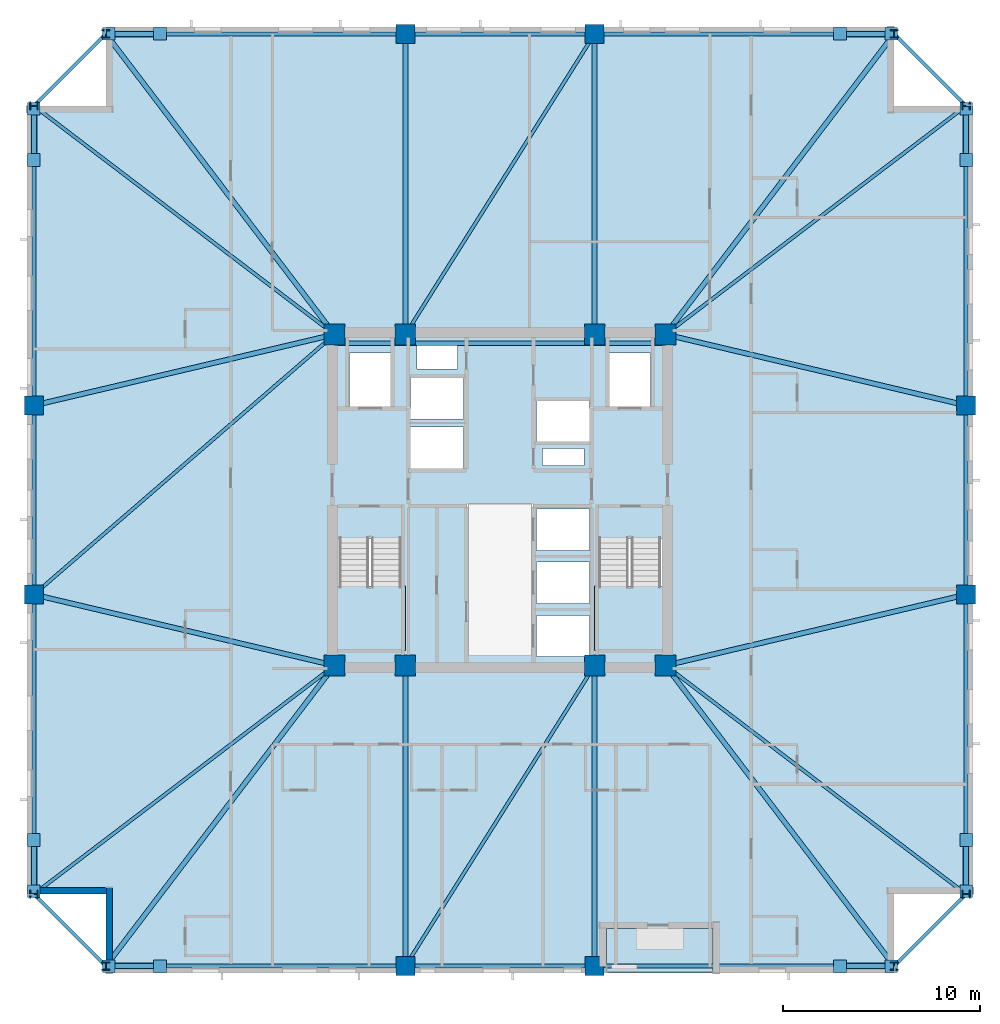
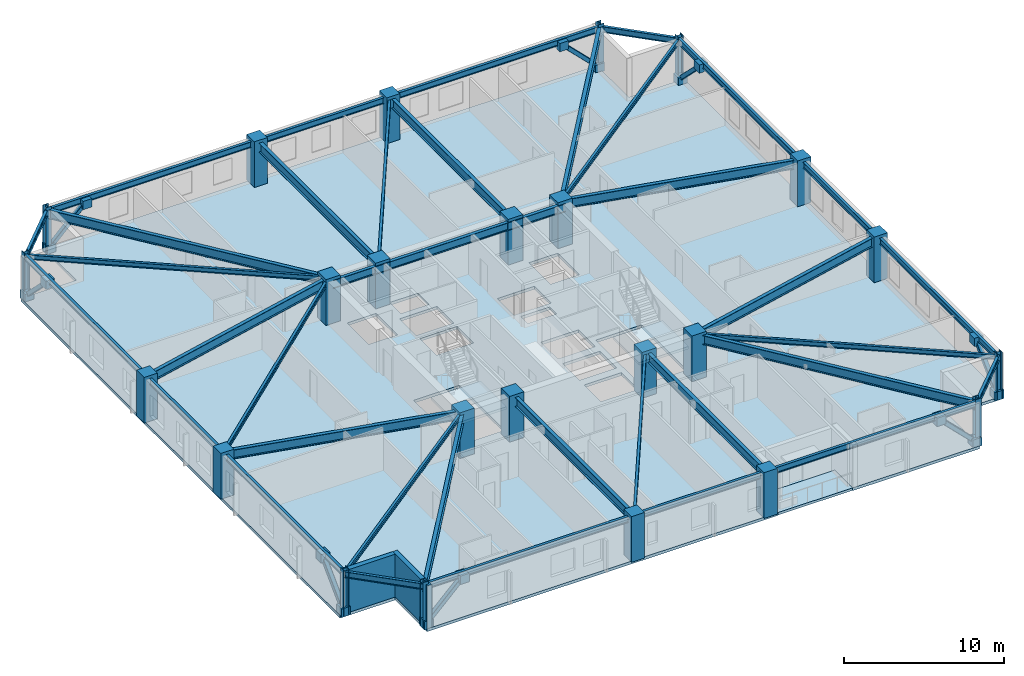
# One storey, part 1 of 11: 38 beams, 24 columns, 16 plates, 8 members, 4 slabs, 2 walls, 2 elements without a shape of their own.
"""IFC4 building model written with IfcOpenShell, lengths in metres."""

from ifc_helpers import new_model, si_unit, direction, frame, frame_2d, origin, origin_2d, place, context, subcontext, project, spatial, polyline, rectangle, hollow_rectangle, i_section, outline, extrude, material, layer, layer_set, material_profile, profile_set, type_object, element, aggregate, save


model = new_model("IFC4")

# Units and contexts
model_context = context("Model", 3, precision=1e-05, world=origin(), true_north=direction((0.0, 1.0)))
body_context = subcontext(model_context, "Body", "Model", "MODEL_VIEW")
ifc_project = project(units=[si_unit("LENGTHUNIT", "METRE"), si_unit("AREAUNIT", "SQUARE_METRE"), si_unit("VOLUMEUNIT", "CUBIC_METRE"), si_unit("PLANEANGLEUNIT", "RADIAN"), si_unit("MASSUNIT", "GRAM", prefix="KILO")], contexts=[model_context])

# Site, building, storey
site_placement = place(None, origin())
site = spatial("IfcSite", under=ifc_project, at=site_placement, CompositionType="ELEMENT")
building_placement = place(site_placement, origin())
building = spatial("IfcBuilding", under=site, at=building_placement, Name="Cairnveth Concourse Tower", CompositionType="ELEMENT")
storey_placement = place(building_placement, frame((0.0, 0.0, 162.0)))
storey = spatial("IfcBuildingStorey", under=building, at=storey_placement, Name="L44", CompositionType="ELEMENT", Elevation=162.0)

# Columns
ifc_material_1 = material(Name="Concrete N65 (65 MPa)", Category="concrete")
ifc_material_profile_1 = material_profile(ifc_material_1, rectangle(XDim=1.050048828125, YDim=1.050048828125, at=origin_2d()), Name="RC-COL-1050x1050")
ifc_profile_set_1 = profile_set([ifc_material_profile_1], Name="Concrete N65 (65 MPa)")
column_type_1 = type_object("IfcColumnType", Name="CORE COLUMN 1050X1050", PredefinedType="COLUMN", material=ifc_profile_set_1)
for number, where, z_axis, x_axis, name in (
    (1, (43.60009765625, 30.60009765625, 0.0), (0.0, 0.0, 1.0), (1.0, 0.0, 0.0), "Column CC1 L44"),
    (2, (47.199951171875, 30.60009765625, 0.0), (0.0, 0.0, 1.0), (1.0, 0.0, 0.0), "Column CC2 L44"),
    (3, (56.800048828125, 30.60009765625, 0.0), (0.0, 0.0, 1.0), (1.0, 0.0, 0.0), "Column CC3 L44"),
    (4, (60.39990234375, 30.60009765625, 0.0), (0.0, 0.0, 1.0), (1.0, 0.0, 0.0), "Column CC4 L44"),
    (5, (43.60009765625, 47.39990234375, 0.0), (0.0, 0.0, 1.0), (1.0, 0.0, 0.0), "Column CC5 L44"),
    (6, (47.199951171875, 47.39990234375, 0.0), (0.0, 0.0, 1.0), (1.0, 0.0, 0.0), "Column CC6 L44"),
    (7, (56.800048828125, 47.39990234375, 0.0), (0.0, 0.0, 1.0), (1.0, 0.0, 0.0), "Column CC7 L44"),
    (8, (60.39990234375, 47.39990234375, 0.0), (0.0, 0.0, 1.0), (1.0, 0.0, 0.0), "Column CC8 L44"),
):
    element("IfcColumn", number, at=place(storey_placement, frame(where, z_axis=z_axis, x_axis=x_axis)), inside=storey, type_object=column_type_1, Name=name, PredefinedType="COLUMN", context=body_context, shape_type="SweptSolid", body=[
        extrude(rectangle(XDim=1.050048828125, YDim=1.050048828125, at=origin_2d()), origin(), (0.0, 0.0, 1.0), 3.5),
    ])
ifc_material_profile_2 = material_profile(ifc_material_1, rectangle(XDim=0.949951171875, YDim=0.949951171875, at=origin_2d()), Name="RC-COL-950x950")
ifc_profile_set_2 = profile_set([ifc_material_profile_2], Name="Concrete N65 (65 MPa)")
column_type_2 = type_object("IfcColumnType", Name="PERIMETER PIER COLUMN 950X950", PredefinedType="COLUMN", material=ifc_profile_set_2)
for number, where, z_axis, x_axis, name in (
    (9, (47.199951171875, 15.35009765625, 0.0), (0.0, 0.0, 1.0), (1.0, 0.0, 0.0), "Column P-S2 L44"),
    (10, (56.800048828125, 15.35009765625, 0.0), (0.0, 0.0, 1.0), (1.0, 0.0, 0.0), "Column P-S3 L44"),
    (11, (75.64990234375, 34.199951171875, 0.0), (0.0, 0.0, 1.0), (0.0, 1.0, 0.0), "Column P-E2 L44"),
    (12, (75.64990234375, 43.800048828125, 0.0), (0.0, 0.0, 1.0), (0.0, 1.0, 0.0), "Column P-E3 L44"),
    (13, (56.800048828125, 62.64990234375, 0.0), (0.0, 0.0, 1.0), (1.0, 0.0, 0.0), "Column P-N2 L44"),
    (14, (47.199951171875, 62.64990234375, 0.0), (0.0, 0.0, 1.0), (1.0, 0.0, 0.0), "Column P-N3 L44"),
    (15, (28.35009765625, 43.800048828125, 0.0), (0.0, 0.0, 1.0), (0.0, 1.0, 0.0), "Column P-W2 L44"),
    (16, (28.35009765625, 34.199951171875, 0.0), (0.0, 0.0, 1.0), (0.0, 1.0, 0.0), "Column P-W3 L44"),
):
    element("IfcColumn", number, at=place(storey_placement, frame(where, z_axis=z_axis, x_axis=x_axis)), inside=storey, type_object=column_type_2, Name=name, PredefinedType="COLUMN", context=body_context, shape_type="SweptSolid", body=[
        extrude(rectangle(XDim=0.949951171875, YDim=0.949951171875, at=origin_2d()), origin(), (0.0, 0.0, 1.0), 3.5),
    ])
ifc_material_2 = material(Name="Steel Grade 350", Category="steel")
ifc_material_profile_3 = material_profile(ifc_material_2, i_section(OverallWidth=0.39990234375, OverallDepth=0.39990234375, WebThickness=0.02197265625, FlangeThickness=0.035888671875, at=origin_2d()), Name="400WC270")
ifc_profile_set_3 = profile_set([ifc_material_profile_3], Name="Steel Grade 350")
column_type_3 = type_object("IfcColumnType", Name="WELDED STEEL COLUMN 400WC270", PredefinedType="COLUMN", material=ifc_profile_set_3)
for number, where, z_axis, x_axis, name in (
    (17, (32.0, 15.35009765625, 0.0), (0.0, 0.0, 1.0), (1.0, 0.0, 0.0), "Column P-S1 L44"),
    (18, (72.0, 15.35009765625, 0.0), (0.0, 0.0, 1.0), (1.0, 0.0, 0.0), "Column P-S4 L44"),
    (19, (75.64990234375, 19.0, 0.0), (0.0, 0.0, 1.0), (0.0, 1.0, 0.0), "Column P-E1 L44"),
    (20, (75.64990234375, 59.0, 0.0), (0.0, 0.0, 1.0), (0.0, 1.0, 0.0), "Column P-E4 L44"),
    (21, (72.0, 62.64990234375, 0.0), (0.0, 0.0, 1.0), (1.0, 0.0, 0.0), "Column P-N1 L44"),
    (22, (32.0, 62.64990234375, 0.0), (0.0, 0.0, 1.0), (1.0, 0.0, 0.0), "Column P-N4 L44"),
    (23, (28.35009765625, 59.0, 0.0), (0.0, 0.0, 1.0), (0.0, 1.0, 0.0), "Column P-W1 L44"),
    (24, (28.35009765625, 19.0, 0.0), (0.0, 0.0, 1.0), (0.0, 1.0, 0.0), "Column P-W4 L44"),
):
    element("IfcColumn", number, at=place(storey_placement, frame(where, z_axis=z_axis, x_axis=x_axis)), inside=storey, type_object=column_type_3, Name=name, PredefinedType="COLUMN", context=body_context, shape_type="SweptSolid", body=[
        extrude(i_section(OverallWidth=0.39990234375, OverallDepth=0.39990234375, WebThickness=0.02197265625, FlangeThickness=0.035888671875, at=origin_2d()), origin(), (0.0, 0.0, 1.0), 3.5),
    ])

# Beams
ifc_material_profile_4 = material_profile(ifc_material_2, i_section(OverallWidth=0.22802734375, OverallDepth=0.60693359375, WebThickness=0.01123046875, FlangeThickness=0.017333984375, FilletRadius=0.013916015625, at=origin_2d()), Name="610UB113")
ifc_profile_set_4 = profile_set([ifc_material_profile_4], Name="Steel Grade 350")
beam_type_1 = type_object("IfcBeamType", Name="CORE TIE BEAM 610UB113", PredefinedType="T_BEAM", material=ifc_profile_set_4)
for number, where, z_axis, x_axis, name in (
    (25, (43.60009765625, 46.949951171875, 2.9765625), (1.0, 0.0, 0.0), (0.0, 1.0, 0.0), "Beam CT-N1 L44"),
    (26, (56.800048828125, 46.949951171875, 2.9765625), (1.0, 0.0, 0.0), (0.0, 1.0, 0.0), "Beam CT-N3 L44"),
):
    element("IfcBeam", number, at=place(storey_placement, frame(where, z_axis=z_axis, x_axis=x_axis)), inside=storey, type_object=beam_type_1, Name=name, PredefinedType="T_BEAM", context=body_context, shape_type="SweptSolid", body=[
        extrude(i_section(OverallWidth=0.22802734375, OverallDepth=0.60693359375, WebThickness=0.01123046875, FlangeThickness=0.017333984375, FilletRadius=0.013916015625, at=origin_2d()), origin(), (0.0, 0.0, 1.0), 3.599853515625),
    ])
beam_1_placement = place(storey_placement, frame((47.199951171875, 46.949951171875, 2.9765625), z_axis=(1.0, 0.0, 0.0), x_axis=(0.0, 1.0, 0.0)))
element("IfcBeam", 27, at=beam_1_placement, inside=storey, type_object=beam_type_1, Name="Beam CT-N2 L44", PredefinedType="T_BEAM", context=body_context, shape_type="SweptSolid", body=[
    extrude(i_section(OverallWidth=0.22802734375, OverallDepth=0.60693359375, WebThickness=0.01123046875, FlangeThickness=0.017333984375, FilletRadius=0.013916015625, at=origin_2d()), origin(), (0.0, 0.0, 1.0), 9.60009765625),
])
ifc_material_profile_5 = material_profile(ifc_material_2, i_section(OverallWidth=0.172119140625, OverallDepth=0.35888671875, WebThickness=0.008056640625, FlangeThickness=0.012939453125, FilletRadius=0.010986328125, at=origin_2d()), Name="360UB56.7")
ifc_profile_set_5 = profile_set([ifc_material_profile_5], Name="Steel Grade 350")
beam_type_2 = type_object("IfcBeamType", Name="ZONE 2 FLOOR JOIST 360UB56.7", PredefinedType="JOIST", material=ifc_profile_set_5)
for number, where, z_axis, x_axis, name in (
    (28, (28.35009765625, 19.0, 3.1005859375), (0.795908242904, 0.6054172684, 0.0), (-0.6054172684, 0.795908242904, 0.0), "Beam FJ-CSW2 L44"),
    (29, (75.64990234375, 19.0, 3.1005859375), (-0.795908242904, 0.6054172684, 0.0), (-0.6054172684, -0.795908242904, 0.0), "Beam FJ-CSE2 L44"),
    (30, (75.64990234375, 59.0, 3.1005859375), (-0.795908242904, -0.6054172684, 0.0), (0.6054172684, -0.795908242904, 0.0), "Beam FJ-CNE2 L44"),
    (31, (28.35009765625, 59.0, 3.1005859375), (0.795908242904, -0.6054172684, 0.0), (0.6054172684, 0.795908242904, 0.0), "Beam FJ-CNW2 L44"),
):
    element("IfcBeam", number, at=place(storey_placement, frame(where, z_axis=z_axis, x_axis=x_axis)), inside=storey, type_object=beam_type_2, Name=name, PredefinedType="JOIST", context=body_context, shape_type="SweptSolid", body=[
        extrude(i_section(OverallWidth=0.172119140625, OverallDepth=0.35888671875, WebThickness=0.008056640625, FlangeThickness=0.012939453125, FilletRadius=0.010986328125, at=origin_2d()), origin(), (0.0, 0.0, 1.0), 19.160400390625),
    ])
for number, where, z_axis, x_axis, name in (
    (32, (47.199951171875, 15.35009765625, 3.1005859375), (0.532743557037, 0.84627672923, 0.0), (-0.84627672923, 0.532743557037, 0.0), "Beam FJ-S-M1 L44"),
    (33, (47.199951171875, 47.39990234375, 3.1005859375), (0.532743557037, 0.84627672923, 0.0), (-0.84627672923, 0.532743557037, 0.0), "Beam FJ-N-M1 L44"),
):
    element("IfcBeam", number, at=place(storey_placement, frame(where, z_axis=z_axis, x_axis=x_axis)), inside=storey, type_object=beam_type_2, Name=name, PredefinedType="JOIST", context=body_context, shape_type="SweptSolid", body=[
        extrude(i_section(OverallWidth=0.172119140625, OverallDepth=0.35888671875, WebThickness=0.008056640625, FlangeThickness=0.012939453125, FilletRadius=0.010986328125, at=origin_2d()), origin(), (0.0, 0.0, 1.0), 18.02001953125),
    ])
beam_2_placement = place(storey_placement, frame((28.35009765625, 34.199951171875, 3.1005859375), z_axis=(0.756099107057, 0.654457134049, 0.0), x_axis=(-0.654457134049, 0.756099107057, 0.0)))
element("IfcBeam", 34, at=beam_2_placement, inside=storey, type_object=beam_type_2, Name="Beam FJ-W-M1 L44", PredefinedType="JOIST", context=body_context, shape_type="SweptSolid", body=[
    extrude(i_section(OverallWidth=0.172119140625, OverallDepth=0.35888671875, WebThickness=0.008056640625, FlangeThickness=0.012939453125, FilletRadius=0.010986328125, at=origin_2d()), origin(), (0.0, 0.0, 1.0), 20.16943359375),
])

# Members
ifc_material_3 = material(Name="Steel C350L0 (350 MPa)", Category="steel")
ifc_material_profile_6 = material_profile(ifc_material_3, hollow_rectangle(XDim=0.300048828125, YDim=0.300048828125, WallThickness=0.01611328125, InnerFilletRadius=0.01611328125, OuterFilletRadius=0.031982421875, at=origin_2d()), Name="300x300x16.0SHS")
ifc_profile_set_6 = profile_set([ifc_material_profile_6], Name="Steel C350L0 (350 MPa)")
member_type = type_object("IfcMemberType", Name="ZONE 2 PIER BRACE 300X300X16SHS", PredefinedType="BRACE", material=ifc_profile_set_6)
for number, where, z_axis, x_axis, name in (
    (35, (32.14990234375, 15.35009765625, 0.25), (0.709834195787, 0.0, 0.704368805735), (0.0, 1.0, 0.0), "Structural Brace PB-S1 L44"),
    (36, (71.85009765625, 15.35009765625, 0.25), (-0.709834195787, 0.0, 0.704368805735), (0.0, -1.0, 0.0), "Structural Brace PB-S2 L44"),
    (37, (32.14990234375, 62.64990234375, 0.25), (0.709834195787, 0.0, 0.704368805735), (0.0, 1.0, 0.0), "Structural Brace PB-N1 L44"),
    (38, (71.85009765625, 62.64990234375, 0.25), (-0.709834195787, 0.0, 0.704368805735), (0.0, -1.0, 0.0), "Structural Brace PB-N2 L44"),
    (39, (28.35009765625, 19.14990234375, 0.25), (0.0, 0.709834195787, 0.704368805735), (-1.0, 0.0, 0.0), "Structural Brace PB-W1 L44"),
    (40, (28.35009765625, 58.85009765625, 0.25), (0.0, -0.709834195787, 0.704368805735), (1.0, 0.0, 0.0), "Structural Brace PB-W2 L44"),
    (41, (75.64990234375, 19.14990234375, 0.25), (0.0, 0.709834195787, 0.704368805735), (-1.0, 0.0, 0.0), "Structural Brace PB-E1 L44"),
    (42, (75.64990234375, 58.85009765625, 0.25), (0.0, -0.709834195787, 0.704368805735), (1.0, 0.0, 0.0), "Structural Brace PB-E2 L44"),
):
    element("IfcMember", number, at=place(storey_placement, frame(where, z_axis=z_axis, x_axis=x_axis)), inside=storey, type_object=member_type, Name=name, PredefinedType="BRACE", context=body_context, shape_type="SweptSolid", body=[
        extrude(hollow_rectangle(XDim=0.300048828125, YDim=0.300048828125, WallThickness=0.01611328125, InnerFilletRadius=0.01611328125, OuterFilletRadius=0.031982421875, at=origin_2d()), origin(), (0.0, 0.0, 1.0), 3.6630859375),
    ])

# Beams
ifc_material_profile_7 = material_profile(ifc_material_2, i_section(OverallWidth=0.25, OverallDepth=0.699951171875, WebThickness=0.011962890625, FlangeThickness=0.028076171875, at=origin_2d()), Name="700WB173")
ifc_profile_set_7 = profile_set([ifc_material_profile_7], Name="Steel Grade 350")
beam_type_3 = type_object("IfcBeamType", Name="ZONE 2 RADIAL GIRDER 700WB173", PredefinedType="BEAM", material=ifc_profile_set_7)
for number, where, z_axis, x_axis, name in (
    (43, (47.199951171875, 15.35009765625, 2.929931640625), (0.0, 1.0, 0.0), (-1.0, 0.0, 0.0), "Beam RG-S1 L44"),
    (44, (56.800048828125, 15.35009765625, 2.929931640625), (0.0, 1.0, 0.0), (-1.0, 0.0, 0.0), "Beam RG-S2 L44"),
    (45, (47.199951171875, 47.39990234375, 2.929931640625), (0.0, 1.0, 0.0), (-1.0, 0.0, 0.0), "Beam RG-N1 L44"),
    (46, (56.800048828125, 47.39990234375, 2.929931640625), (0.0, 1.0, 0.0), (-1.0, 0.0, 0.0), "Beam RG-N2 L44"),
):
    element("IfcBeam", number, at=place(storey_placement, frame(where, z_axis=z_axis, x_axis=x_axis)), inside=storey, type_object=beam_type_3, Name=name, PredefinedType="BEAM", context=body_context, shape_type="SweptSolid", body=[
        extrude(i_section(OverallWidth=0.25, OverallDepth=0.699951171875, WebThickness=0.011962890625, FlangeThickness=0.028076171875, at=origin_2d()), origin(), (0.0, 0.0, 1.0), 15.25),
    ])
for number, where, z_axis, x_axis, name in (
    (47, (28.35009765625, 34.199951171875, 2.929931640625), (0.973251602929, -0.229741849468, 0.0), (0.229741849468, 0.973251602929, 0.0), "Beam RG-W1 L44"),
    (48, (28.35009765625, 43.800048828125, 2.929931640625), (0.973251602929, 0.229741849468, 0.0), (-0.229741849468, 0.973251602929, 0.0), "Beam RG-W2 L44"),
    (49, (60.39990234375, 30.60009765625, 2.929931640625), (0.973251602929, 0.229741849468, 0.0), (-0.229741849468, 0.973251602929, 0.0), "Beam RG-E1 L44"),
    (50, (60.39990234375, 47.39990234375, 2.929931640625), (0.973251602929, -0.229741849468, 0.0), (0.229741849468, 0.973251602929, 0.0), "Beam RG-E2 L44"),
):
    element("IfcBeam", number, at=place(storey_placement, frame(where, z_axis=z_axis, x_axis=x_axis)), inside=storey, type_object=beam_type_3, Name=name, PredefinedType="BEAM", context=body_context, shape_type="SweptSolid", body=[
        extrude(i_section(OverallWidth=0.25, OverallDepth=0.699951171875, WebThickness=0.011962890625, FlangeThickness=0.028076171875, at=origin_2d()), origin(), (0.0, 0.0, 1.0), 15.669189453125),
    ])
for number, where, z_axis, x_axis, name in (
    (51, (32.0, 15.35009765625, 2.929931640625), (0.6054172684, 0.795908242904, 0.0), (-0.795908242904, 0.6054172684, 0.0), "Beam RG-CSW L44"),
    (52, (72.0, 15.35009765625, 2.929931640625), (-0.6054172684, 0.795908242904, 0.0), (-0.795908242904, -0.6054172684, 0.0), "Beam RG-CSE L44"),
    (53, (72.0, 62.64990234375, 2.929931640625), (-0.6054172684, -0.795908242904, 0.0), (0.795908242904, -0.6054172684, 0.0), "Beam RG-CNE L44"),
    (54, (32.0, 62.64990234375, 2.929931640625), (0.6054172684, -0.795908242904, 0.0), (0.795908242904, 0.6054172684, 0.0), "Beam RG-CNW L44"),
):
    element("IfcBeam", number, at=place(storey_placement, frame(where, z_axis=z_axis, x_axis=x_axis)), inside=storey, type_object=beam_type_3, Name=name, PredefinedType="BEAM", context=body_context, shape_type="SweptSolid", body=[
        extrude(i_section(OverallWidth=0.25, OverallDepth=0.699951171875, WebThickness=0.011962890625, FlangeThickness=0.028076171875, at=origin_2d()), origin(), (0.0, 0.0, 1.0), 19.160400390625),
    ])
ifc_material_profile_8 = material_profile(ifc_material_2, i_section(OverallWidth=0.18994140625, OverallDepth=0.45703125, WebThickness=0.009033203125, FlangeThickness=0.014404296875, FilletRadius=0.010986328125, at=origin_2d()), Name="460UB74.6")
ifc_profile_set_8 = profile_set([ifc_material_profile_8], Name="Steel Grade 350")
beam_type_4 = type_object("IfcBeamType", Name="ZONE 2 SPANDREL BEAM 460UB74.6", PredefinedType="SPANDREL", material=ifc_profile_set_8)
beam_3_placement = place(storey_placement, frame((32.0, 15.35009765625, 3.051513671875), z_axis=(1.0, 0.0, 0.0), x_axis=(0.0, 1.0, 0.0)))
element("IfcBeam", 55, at=beam_3_placement, inside=storey, type_object=beam_type_4, Name="Beam SP-S1 L44", PredefinedType="SPANDREL", context=body_context, shape_type="SweptSolid", body=[
    extrude(i_section(OverallWidth=0.18994140625, OverallDepth=0.45703125, WebThickness=0.009033203125, FlangeThickness=0.014404296875, FilletRadius=0.010986328125, at=origin_2d()), origin(), (0.0, 0.0, 1.0), 15.199951171875),
])
beam_4_placement = place(storey_placement, frame((47.199951171875, 15.35009765625, 3.051513671875), z_axis=(1.0, 0.0, 0.0), x_axis=(0.0, 1.0, 0.0)))
element("IfcBeam", 56, at=beam_4_placement, inside=storey, type_object=beam_type_4, Name="Beam SP-S2 L44", PredefinedType="SPANDREL", context=body_context, shape_type="SweptSolid", body=[
    extrude(i_section(OverallWidth=0.18994140625, OverallDepth=0.45703125, WebThickness=0.009033203125, FlangeThickness=0.014404296875, FilletRadius=0.010986328125, at=origin_2d()), origin(), (0.0, 0.0, 1.0), 9.60009765625),
])
for number, where, z_axis, x_axis, name in (
    (57, (56.800048828125, 15.35009765625, 3.051513671875), (1.0, 0.0, 0.0), (0.0, 1.0, 0.0), "Beam SP-S3 L44"),
    (58, (32.0, 62.64990234375, 3.051513671875), (1.0, 0.0, 0.0), (0.0, 1.0, 0.0), "Beam SP-N1 L44"),
):
    element("IfcBeam", number, at=place(storey_placement, frame(where, z_axis=z_axis, x_axis=x_axis)), inside=storey, type_object=beam_type_4, Name=name, PredefinedType="SPANDREL", context=body_context, shape_type="SweptSolid", body=[
        extrude(i_section(OverallWidth=0.18994140625, OverallDepth=0.45703125, WebThickness=0.009033203125, FlangeThickness=0.014404296875, FilletRadius=0.010986328125, at=origin_2d()), origin(), (0.0, 0.0, 1.0), 15.199951171875),
    ])
beam_5_placement = place(storey_placement, frame((47.199951171875, 62.64990234375, 3.051513671875), z_axis=(1.0, 0.0, 0.0), x_axis=(0.0, 1.0, 0.0)))
element("IfcBeam", 59, at=beam_5_placement, inside=storey, type_object=beam_type_4, Name="Beam SP-N2 L44", PredefinedType="SPANDREL", context=body_context, shape_type="SweptSolid", body=[
    extrude(i_section(OverallWidth=0.18994140625, OverallDepth=0.45703125, WebThickness=0.009033203125, FlangeThickness=0.014404296875, FilletRadius=0.010986328125, at=origin_2d()), origin(), (0.0, 0.0, 1.0), 9.60009765625),
])
for number, where, z_axis, x_axis, name in (
    (60, (56.800048828125, 62.64990234375, 3.051513671875), (1.0, 0.0, 0.0), (0.0, 1.0, 0.0), "Beam SP-N3 L44"),
    (61, (28.35009765625, 19.0, 3.051513671875), (0.0, 1.0, 0.0), (-1.0, 0.0, 0.0), "Beam SP-W1 L44"),
):
    element("IfcBeam", number, at=place(storey_placement, frame(where, z_axis=z_axis, x_axis=x_axis)), inside=storey, type_object=beam_type_4, Name=name, PredefinedType="SPANDREL", context=body_context, shape_type="SweptSolid", body=[
        extrude(i_section(OverallWidth=0.18994140625, OverallDepth=0.45703125, WebThickness=0.009033203125, FlangeThickness=0.014404296875, FilletRadius=0.010986328125, at=origin_2d()), origin(), (0.0, 0.0, 1.0), 15.199951171875),
    ])
beam_6_placement = place(storey_placement, frame((28.35009765625, 34.199951171875, 3.051513671875), z_axis=(0.0, 1.0, 0.0), x_axis=(-1.0, 0.0, 0.0)))
element("IfcBeam", 62, at=beam_6_placement, inside=storey, type_object=beam_type_4, Name="Beam SP-W2 L44", PredefinedType="SPANDREL", context=body_context, shape_type="SweptSolid", body=[
    extrude(i_section(OverallWidth=0.18994140625, OverallDepth=0.45703125, WebThickness=0.009033203125, FlangeThickness=0.014404296875, FilletRadius=0.010986328125, at=origin_2d()), origin(), (0.0, 0.0, 1.0), 9.60009765625),
])
for number, where, z_axis, x_axis, name in (
    (63, (28.35009765625, 43.800048828125, 3.051513671875), (0.0, 1.0, 0.0), (-1.0, 0.0, 0.0), "Beam SP-W3 L44"),
    (64, (75.64990234375, 19.0, 3.051513671875), (0.0, 1.0, 0.0), (-1.0, 0.0, 0.0), "Beam SP-E1 L44"),
):
    element("IfcBeam", number, at=place(storey_placement, frame(where, z_axis=z_axis, x_axis=x_axis)), inside=storey, type_object=beam_type_4, Name=name, PredefinedType="SPANDREL", context=body_context, shape_type="SweptSolid", body=[
        extrude(i_section(OverallWidth=0.18994140625, OverallDepth=0.45703125, WebThickness=0.009033203125, FlangeThickness=0.014404296875, FilletRadius=0.010986328125, at=origin_2d()), origin(), (0.0, 0.0, 1.0), 15.199951171875),
    ])
beam_7_placement = place(storey_placement, frame((75.64990234375, 34.199951171875, 3.051513671875), z_axis=(0.0, 1.0, 0.0), x_axis=(-1.0, 0.0, 0.0)))
element("IfcBeam", 65, at=beam_7_placement, inside=storey, type_object=beam_type_4, Name="Beam SP-E2 L44", PredefinedType="SPANDREL", context=body_context, shape_type="SweptSolid", body=[
    extrude(i_section(OverallWidth=0.18994140625, OverallDepth=0.45703125, WebThickness=0.009033203125, FlangeThickness=0.014404296875, FilletRadius=0.010986328125, at=origin_2d()), origin(), (0.0, 0.0, 1.0), 9.60009765625),
])
beam_8_placement = place(storey_placement, frame((75.64990234375, 43.800048828125, 3.051513671875), z_axis=(0.0, 1.0, 0.0), x_axis=(-1.0, 0.0, 0.0)))
element("IfcBeam", 66, at=beam_8_placement, inside=storey, type_object=beam_type_4, Name="Beam SP-E3 L44", PredefinedType="SPANDREL", context=body_context, shape_type="SweptSolid", body=[
    extrude(i_section(OverallWidth=0.18994140625, OverallDepth=0.45703125, WebThickness=0.009033203125, FlangeThickness=0.014404296875, FilletRadius=0.010986328125, at=origin_2d()), origin(), (0.0, 0.0, 1.0), 15.199951171875),
])
for number, where, z_axis, x_axis, name in (
    (67, (28.35009765625, 19.0, 3.051513671875), (0.707106781187, -0.707106781187, 0.0), (0.707106781187, 0.707106781187, 0.0), "Beam SP-SW L44"),
    (68, (72.0, 15.35009765625, 3.051513671875), (0.707106781187, 0.707106781187, 0.0), (-0.707106781187, 0.707106781187, 0.0), "Beam SP-SE L44"),
    (69, (72.0, 62.64990234375, 3.051513671875), (0.707106781187, -0.707106781187, 0.0), (0.707106781187, 0.707106781187, 0.0), "Beam SP-NE L44"),
    (70, (28.35009765625, 59.0, 3.051513671875), (0.707106781187, 0.707106781187, 0.0), (-0.707106781187, 0.707106781187, 0.0), "Beam SP-NW L44"),
):
    element("IfcBeam", number, at=place(storey_placement, frame(where, z_axis=z_axis, x_axis=x_axis)), inside=storey, type_object=beam_type_4, Name=name, PredefinedType="SPANDREL", context=body_context, shape_type="SweptSolid", body=[
        extrude(i_section(OverallWidth=0.18994140625, OverallDepth=0.45703125, WebThickness=0.009033203125, FlangeThickness=0.014404296875, FilletRadius=0.010986328125, at=origin_2d()), origin(), (0.0, 0.0, 1.0), 5.16162109375),
    ])

# Slab
ifc_material_4 = material(Name="Concrete N50 (50 MPa)", Category="concrete")
ifc_layer_1 = layer(ifc_material_4, 0.219970703125)
ifc_layer_set_1 = layer_set([ifc_layer_1], Name="Concrete N50 (50 MPa)")
slab_type_1 = type_object("IfcSlabType", Name="LOWER TOWER COMPOSITE SLAB 220", PredefinedType="FLOOR", material=ifc_layer_set_1)
slab_1_placement = place(storey_placement, frame((0.0, 0.0, -0.219970703125)))
element("IfcSlab", 71, at=slab_1_placement, inside=storey, type_object=slab_type_1, Name="Tower Floor Slab L44", PredefinedType="FLOOR", context=body_context, shape_type="SweptSolid", body=[
    extrude(outline(polyline([(57.39990234375, 15.0), (57.39990234375, 17.25), (62.800048828125, 17.25), (62.800048828125, 15.0), (72.0, 15.0), (72.0, 19.0), (76.0, 19.0), (76.0, 59.0), (72.0, 59.0), (72.0, 63.0), (32.0, 63.0), (32.0, 59.0), (28.0, 59.0), (28.0, 19.0), (32.0, 19.0), (32.0, 15.0), (57.39990234375, 15.0)]), holes=[polyline([(43.760009765625, 31.360107421875), (47.06005859375, 31.360107421875), (47.06005859375, 37.0400390625), (43.760009765625, 37.0400390625), (43.760009765625, 31.360107421875)]), polyline([(56.93994140625, 31.360107421875), (60.239990234375, 31.360107421875), (60.239990234375, 37.0400390625), (56.93994140625, 37.0400390625), (56.93994140625, 31.360107421875)]), polyline([(44.3701171875, 43.75), (46.469970703125, 43.75), (46.469970703125, 46.449951171875), (44.3701171875, 46.449951171875), (44.3701171875, 43.75)]), polyline([(57.530029296875, 43.75), (59.6298828125, 43.75), (59.6298828125, 46.449951171875), (57.530029296875, 46.449951171875), (57.530029296875, 43.75)]), polyline([(53.85009765625, 31.050048828125), (56.550048828125, 31.050048828125), (56.550048828125, 33.14990234375), (53.85009765625, 33.14990234375), (53.85009765625, 31.050048828125)]), polyline([(53.85009765625, 33.75), (56.550048828125, 33.75), (56.550048828125, 35.85009765625), (53.85009765625, 35.85009765625), (53.85009765625, 33.75)]), polyline([(53.85009765625, 36.449951171875), (56.550048828125, 36.449951171875), (56.550048828125, 38.550048828125), (53.85009765625, 38.550048828125), (53.85009765625, 36.449951171875)]), polyline([(47.449951171875, 40.60009765625), (50.14990234375, 40.60009765625), (50.14990234375, 42.699951171875), (47.449951171875, 42.699951171875), (47.449951171875, 40.60009765625)]), polyline([(47.449951171875, 43.10009765625), (50.14990234375, 43.10009765625), (50.14990234375, 45.199951171875), (47.449951171875, 45.199951171875), (47.449951171875, 43.10009765625)]), polyline([(53.85009765625, 41.949951171875), (56.550048828125, 41.949951171875), (56.550048828125, 44.050048828125), (53.85009765625, 44.050048828125), (53.85009765625, 41.949951171875)]), polyline([(47.800048828125, 45.64990234375), (49.85009765625, 45.64990234375), (49.85009765625, 47.050048828125), (47.800048828125, 47.050048828125), (47.800048828125, 45.64990234375)]), polyline([(54.14990234375, 40.75), (56.25, 40.75), (56.25, 41.6201171875), (54.14990234375, 41.6201171875), (54.14990234375, 40.75)])]), origin(), (0.0, 0.0, 1.0), 0.219970703125),
])

# Plates
ifc_layer_2 = layer(ifc_material_2, 0.031982421875)
ifc_layer_set_2 = layer_set([ifc_layer_2], Name="Steel Grade 350")
plate_type = type_object("IfcPlateType", Name="PERIMETER BRACE GUSSET PLATE 32", PredefinedType="USERDEFINED", material=ifc_layer_set_2)
for number, where, z_axis, x_axis, name in (
    (72, (32.14990234375, 15.35009765625, -0.06982421875), (0.0, 0.0, 1.0), (1.0, 0.0, 0.0), "Structural Node Plate 0737 L44"),
    (73, (34.75, 15.35009765625, 2.51025390625), (0.0, 0.0, 1.0), (1.0, 0.0, 0.0), "Structural Node Plate 0738 L44"),
    (74, (71.85009765625, 15.35009765625, -0.06982421875), (0.0, 0.0, 1.0), (1.0, 0.0, 0.0), "Structural Node Plate 0739 L44"),
    (75, (69.25, 15.35009765625, 2.51025390625), (0.0, 0.0, 1.0), (1.0, 0.0, 0.0), "Structural Node Plate 0740 L44"),
    (76, (32.14990234375, 62.64990234375, -0.06982421875), (0.0, 0.0, 1.0), (1.0, 0.0, 0.0), "Structural Node Plate 0741 L44"),
    (77, (34.75, 62.64990234375, 2.51025390625), (0.0, 0.0, 1.0), (1.0, 0.0, 0.0), "Structural Node Plate 0742 L44"),
    (78, (71.85009765625, 62.64990234375, -0.06982421875), (0.0, 0.0, 1.0), (1.0, 0.0, 0.0), "Structural Node Plate 0743 L44"),
    (79, (69.25, 62.64990234375, 2.51025390625), (0.0, 0.0, 1.0), (1.0, 0.0, 0.0), "Structural Node Plate 0744 L44"),
    (80, (28.35009765625, 19.14990234375, -0.06982421875), (0.0, 0.0, 1.0), (1.0, 0.0, 0.0), "Structural Node Plate 0745 L44"),
    (81, (28.35009765625, 21.75, 2.51025390625), (0.0, 0.0, 1.0), (1.0, 0.0, 0.0), "Structural Node Plate 0746 L44"),
    (82, (28.35009765625, 58.85009765625, -0.06982421875), (0.0, 0.0, 1.0), (1.0, 0.0, 0.0), "Structural Node Plate 0747 L44"),
    (83, (28.35009765625, 56.25, 2.51025390625), (0.0, 0.0, 1.0), (1.0, 0.0, 0.0), "Structural Node Plate 0748 L44"),
    (84, (75.64990234375, 19.14990234375, -0.06982421875), (0.0, 0.0, 1.0), (1.0, 0.0, 0.0), "Structural Node Plate 0749 L44"),
    (85, (75.64990234375, 21.75, 2.51025390625), (0.0, 0.0, 1.0), (1.0, 0.0, 0.0), "Structural Node Plate 0750 L44"),
    (86, (75.64990234375, 58.85009765625, -0.06982421875), (0.0, 0.0, 1.0), (1.0, 0.0, 0.0), "Structural Node Plate 0751 L44"),
    (87, (75.64990234375, 56.25, 2.51025390625), (0.0, 0.0, 1.0), (1.0, 0.0, 0.0), "Structural Node Plate 0752 L44"),
):
    element("IfcPlate", number, at=place(storey_placement, frame(where, z_axis=z_axis, x_axis=x_axis)), inside=storey, type_object=plate_type, Name=name, ObjectType="GUSSET PLATE", PredefinedType="USERDEFINED", context=body_context, shape_type="SweptSolid", body=[
        extrude(rectangle(XDim=0.639892578125, YDim=0.639892578125, at=origin_2d()), origin(), (0.0, 0.0, 1.0), 0.639892578125),
    ])

# Slab
ifc_layer_3 = layer(ifc_material_4, 0.18994140625)
ifc_layer_set_3 = layer_set([ifc_layer_3], Name="Concrete N50 (50 MPa)")
slab_type_2 = type_object("IfcSlabType", Name="SPIRAL OUTDOOR TERRACE SLAB 190", PredefinedType="FLOOR", material=ifc_layer_set_3)
slab_2_placement = place(storey_placement, frame((0.0, 0.0, -0.18994140625)))
element("IfcSlab", 88, at=slab_2_placement, inside=storey, type_object=slab_type_2, Name="Spiral Terrace Slab L44", PredefinedType="FLOOR", context=body_context, shape_type="SweptSolid", body=[
    extrude(outline(polyline([(57.39990234375, 15.0), (62.800048828125, 15.0), (62.800048828125, 17.25), (57.39990234375, 17.25), (57.39990234375, 15.0)])), origin(), (0.0, 0.0, 1.0), 0.18994140625),
])

# Stair, slab
ifc_material_5 = material(Name="Precast concrete N50 (50 MPa)", Category="concrete")
stair_type = type_object("IfcStairType", Name="CORE DOG-LEG FIRE STAIR 1500", PredefinedType="HALF_TURN_STAIR", material=ifc_material_5)
stair_1_placement = place(storey_placement, origin())
stair_1 = element("IfcStair", 89, at=stair_1_placement, inside=storey, type_object=stair_type, Name="L44 Fire-Isolated Stair ST-1", PredefinedType="HALF_TURN_STAIR")
ifc_layer_4 = layer(ifc_material_4, 0.199951171875)
ifc_layer_set_4 = layer_set([ifc_layer_4], Name="Concrete N50 (50 MPa)")
slab_type_3 = type_object("IfcSlabType", Name="STAIR HALF LANDING SLAB 200", PredefinedType="LANDING", material=ifc_layer_set_4)
slab_3_placement = place(storey_placement, frame((0.0, 0.0, 1.550048828125)))
slab_3 = element("IfcSlab", 90, at=slab_3_placement, type_object=slab_type_3, Name="ST-1 landing 1", PredefinedType="LANDING", context=body_context, shape_type="SweptSolid", body=[
    extrude(outline(polyline([(43.6201171875, 34.639892578125), (43.6201171875, 31.3701171875), (47.199951171875, 31.3701171875), (47.199951171875, 34.639892578125), (43.6201171875, 34.639892578125)])), origin(), (0.0, 0.0, 1.0), 0.199951171875),
])
aggregate(stair_1, [slab_3])

stair_2_placement = place(storey_placement, origin())
stair_2 = element("IfcStair", 91, at=stair_2_placement, inside=storey, type_object=stair_type, Name="L44 Fire-Isolated Stair ST-2", PredefinedType="HALF_TURN_STAIR")
slab_4_placement = place(storey_placement, frame((0.0, 0.0, 1.550048828125)))
slab_4 = element("IfcSlab", 92, at=slab_4_placement, type_object=slab_type_3, Name="ST-2 landing 1", PredefinedType="LANDING", context=body_context, shape_type="SweptSolid", body=[
    extrude(outline(polyline([(56.800048828125, 34.639892578125), (56.800048828125, 31.3701171875), (60.3798828125, 31.3701171875), (60.3798828125, 34.639892578125), (56.800048828125, 34.639892578125)])), origin(), (0.0, 0.0, 1.0), 0.199951171875),
])
aggregate(stair_2, [slab_4])

# Walls
ifc_material_6 = material(Name="Hawthorn Red-Ochre Fired Clay Brick Masonry", Category="masonry")
ifc_layer_5 = layer(ifc_material_6, 0.340087890625)
ifc_layer_set_5 = layer_set([ifc_layer_5], Name="Hawthorn Red-Ochre Fired Clay Brick Masonry")
wall_type = type_object("IfcWallType", Name="ZONE 2 BRICK PIER SPANDREL WALL 340", PredefinedType="SOLIDWALL", material=ifc_layer_set_5)
wall_1_placement = place(storey_placement, frame((32.169921875, 15.0, 0.0), z_axis=(0.0, 0.0, 1.0), x_axis=(0.0, 1.0, 0.0)))
element("IfcWall", 93, at=wall_1_placement, inside=storey, type_object=wall_type, Name="Exterior Wall EW-L44-S01", PredefinedType="SOLIDWALL", context=body_context, shape_type="SweptSolid", body=[
    extrude(rectangle(XDim=4.340087890625, YDim=0.340087890625, at=frame_2d((2.169921875, 0.0))), origin(), (0.0, 0.0, 1.0), 3.280029296875),
])
wall_2_placement = place(storey_placement, frame((32.02197265625, 19.169921875, 0.0), z_axis=(0.0, 0.0, 1.0), x_axis=(-1.0, 0.0, 0.0)))
element("IfcWall", 94, at=wall_2_placement, inside=storey, type_object=wall_type, Name="Exterior Wall EW-L44-S02", PredefinedType="SOLIDWALL", context=body_context, shape_type="SweptSolid", body=[
    extrude(rectangle(XDim=3.703857421875, YDim=0.340087890625, at=frame_2d((1.85205078125, 0.0))), origin(), (0.0, 0.0, 1.0), 3.280029296875),
])

save(model, "model.ifc")
